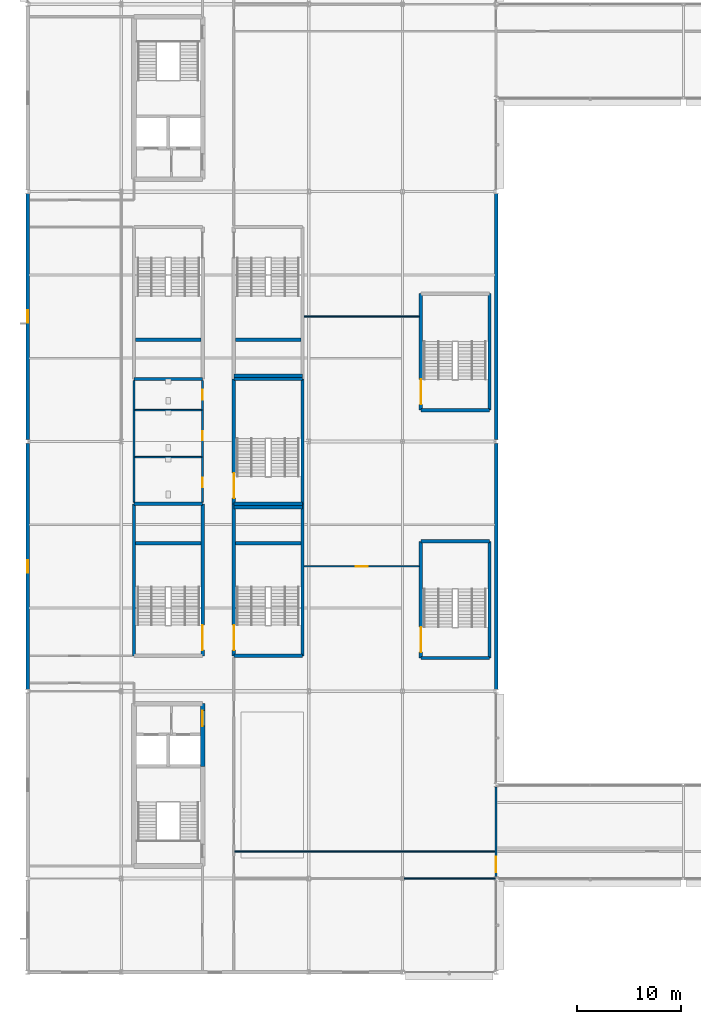
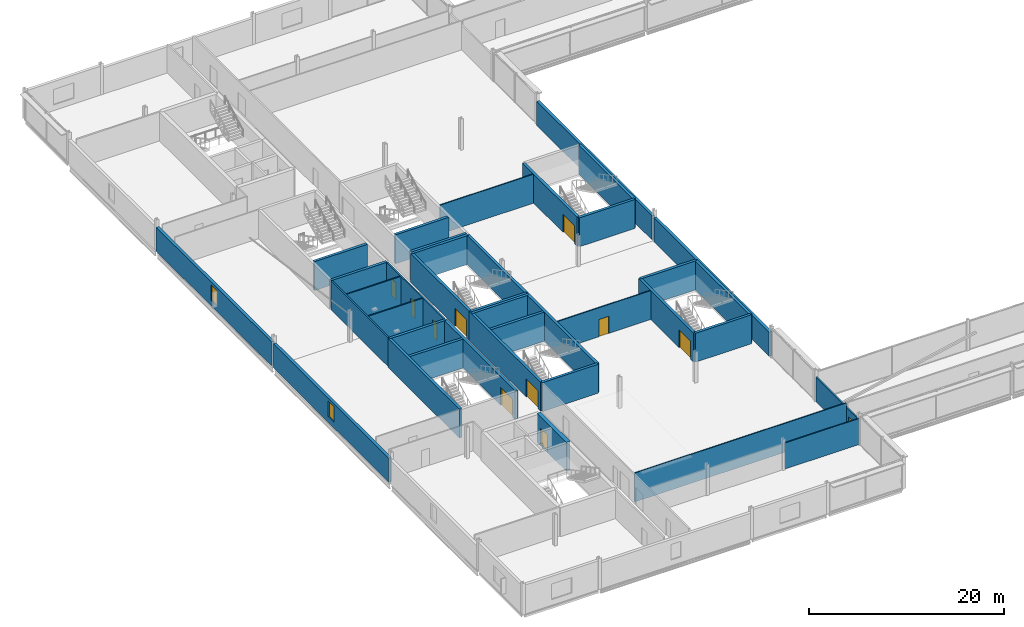
# One storey, part 58 of 98: 38 walls, 11 doors, 2 windows, 13 openings.
"""IFC4 building model written with IfcOpenShell, lengths in metres."""

from ifc_helpers import new_model, si_unit, direction, frame, frame_2d, origin, place, context, subcontext, project, spatial, rectangle, extrude, material, layer, layer_set, type_object, element, fill, save


model = new_model("IFC4")

# Units and contexts
model_context = context("Model", 3, precision=1e-05, world=origin(), true_north=direction((0.0, 1.0)))
body_context = subcontext(model_context, "Body", "Model", "MODEL_VIEW")
ifc_project = project(units=[si_unit("LENGTHUNIT", "METRE"), si_unit("AREAUNIT", "SQUARE_METRE"), si_unit("VOLUMEUNIT", "CUBIC_METRE"), si_unit("PLANEANGLEUNIT", "RADIAN"), si_unit("MASSUNIT", "GRAM", prefix="KILO")], contexts=[model_context])

# Site, building, storey
site_placement = place(None, origin())
site = spatial("IfcSite", under=ifc_project, at=site_placement, CompositionType="ELEMENT")
building_placement = place(site_placement, origin())
building = spatial("IfcBuilding", under=site, at=building_placement, Name="Kisiwana Market Hall", CompositionType="ELEMENT")
storey_placement = place(building_placement, frame((0.0, 0.0, 29.39990234375)))
storey = spatial("IfcBuildingStorey", under=building, at=storey_placement, Name="L06", CompositionType="ELEMENT", Elevation=29.39990234375)

# Walls
ifc_material_1 = material(Name="Concrete C40/50", Category="concrete")
ifc_layer_1 = layer(ifc_material_1, 0.320068359375, Name="Reinforced concrete shaft wall")
ifc_layer_set_1 = layer_set([ifc_layer_1], Name="WL-CORE-320")
wall_type_1 = type_object("IfcWallType", Name="WL-CORE-320", PredefinedType="SHEAR", material=ifc_layer_set_1)
wall_1_placement = place(storey_placement, frame((10.199951171875, 54.0, 0.0), z_axis=(0.0, 0.0, 1.0), x_axis=(1.0, 0.0, 0.0)))
element("IfcWall", 1, at=wall_1_placement, inside=storey, type_object=wall_type_1, Name="Core W3 north shear wall W-1927", PredefinedType="SHEAR", context=body_context, shape_type="SweptSolid", body=[
    extrude(rectangle(XDim=6.60009765625, YDim=0.320068359375, at=frame_2d((3.300048828125, 0.0))), origin(), (0.0, 0.0, 1.0), 3.6201171875),
])
wall_2_placement = place(storey_placement, frame((10.199951171875, 39.39990234375, 0.0), z_axis=(0.0, 0.0, 1.0), x_axis=(0.0, 1.0, 0.0)))
element("IfcWall", 2, at=wall_2_placement, inside=storey, type_object=wall_type_1, Name="Core W3 outer shear wall W-1928", PredefinedType="SHEAR", context=body_context, shape_type="SweptSolid", body=[
    extrude(rectangle(XDim=14.60009765625, YDim=0.320068359375, at=frame_2d((7.300048828125, 0.0))), origin(), (0.0, 0.0, 1.0), 3.6201171875),
])

# Wall, opening, door
wall_3_placement = place(storey_placement, frame((16.800048828125, 39.39990234375, 0.0), z_axis=(0.0, 0.0, 1.0), x_axis=(0.0, 1.0, 0.0)))
wall_3 = element("IfcWall", 3, at=wall_3_placement, inside=storey, type_object=wall_type_1, Name="Core W3 corridor shear wall W-1929", PredefinedType="SHEAR", context=body_context, shape_type="SweptSolid", body=[
    extrude(rectangle(XDim=14.60009765625, YDim=0.320068359375, at=frame_2d((7.300048828125, 0.0))), origin(), (0.0, 0.0, 1.0), 3.6201171875),
])
opening_1_placement = place(wall_3_placement, frame((0.550048828125, 0.0, 0.0)))
opening_1 = element("IfcOpeningElement", 4, at=opening_1_placement, cuts=wall_3, Name="Opening DR-L06-013", PredefinedType="OPENING", context=body_context, shape_type="SweptSolid", body=[
    extrude(rectangle(XDim=2.39990234375, YDim=2.25, at=frame_2d((1.199951171875, 1.125))), frame((0.0, 0.171875, 0.0), z_axis=(0.0, -1.0, 0.0), x_axis=(1.0, 0.0, 0.0)), (0.0, 0.0, 1.0), 0.343994140625),
])
ifc_material_2 = material(Name="Steel S275", Category="steel")
door_type_1 = type_object("IfcDoorType", Name="DR-STAIR-FD120-2400", OperationType="DOUBLE_DOOR_SINGLE_SWING", PredefinedType="DOOR", material=ifc_material_2)
door_1_placement = place(opening_1_placement, origin())
door_1 = element("IfcDoor", 5, at=door_1_placement, inside=storey, type_object=door_type_1, Name="Escape Stair W3 Fire Door (L06)", OperationType="DOUBLE_DOOR_SINGLE_SWING", OverallHeight=2.25, OverallWidth=2.39990234375, PredefinedType="DOOR", context=body_context, shape_type="SweptSolid", body=[
    extrude(rectangle(XDim=2.39990234375, YDim=2.25, at=frame_2d((1.199951171875, 1.125))), frame((0.0, 0.02490234375, 0.0), z_axis=(0.0, -1.0, 0.0), x_axis=(1.0, 0.0, 0.0)), (0.0, 0.0, 1.0), 0.050048828125),
])
fill(opening_1, door_1)

# Walls
wall_4_placement = place(storey_placement, frame((10.360107421875, 50.219970703125, 0.0), z_axis=(0.0, 0.0, 1.0), x_axis=(1.0, 0.0, 0.0)))
element("IfcWall", 6, at=wall_4_placement, inside=storey, type_object=wall_type_1, Name="Core W3 riser divider shear wall W-1930", PredefinedType="SHEAR", context=body_context, shape_type="SweptSolid", body=[
    extrude(rectangle(XDim=6.27978515625, YDim=0.320068359375, at=frame_2d((3.139892578125, 0.0))), origin(), (0.0, 0.0, 1.0), 3.6201171875),
])
wall_5_placement = place(storey_placement, frame((10.199951171875, 66.0, 0.0), z_axis=(0.0, 0.0, 1.0), x_axis=(1.0, 0.0, 0.0)))
element("IfcWall", 7, at=wall_5_placement, inside=storey, type_object=wall_type_1, Name="Core W4 south shear wall W-1931", PredefinedType="SHEAR", context=body_context, shape_type="SweptSolid", body=[
    extrude(rectangle(XDim=6.60009765625, YDim=0.320068359375, at=frame_2d((3.300048828125, 0.0))), origin(), (0.0, 0.0, 1.0), 3.6201171875),
])
wall_6_placement = place(storey_placement, frame((10.360107421875, 69.780029296875, 0.0), z_axis=(0.0, 0.0, 1.0), x_axis=(1.0, 0.0, 0.0)))
element("IfcWall", 8, at=wall_6_placement, inside=storey, type_object=wall_type_1, Name="Core W4 riser divider shear wall W-1935", PredefinedType="SHEAR", context=body_context, shape_type="SweptSolid", body=[
    extrude(rectangle(XDim=6.27978515625, YDim=0.320068359375, at=frame_2d((3.139892578125, 0.0))), origin(), (0.0, 0.0, 1.0), 3.6201171875),
])
for number, where, z_axis, x_axis, name in (
    (9, (19.800048828125, 39.39990234375, 0.0), (0.0, 0.0, 1.0), (1.0, 0.0, 0.0), "Core W7 south shear wall W-1946"),
    (10, (19.800048828125, 54.0, 0.0), (0.0, 0.0, 1.0), (1.0, 0.0, 0.0), "Core W7 north shear wall W-1947"),
):
    element("IfcWall", number, at=place(storey_placement, frame(where, z_axis=z_axis, x_axis=x_axis)), inside=storey, type_object=wall_type_1, Name=name, PredefinedType="SHEAR", context=body_context, shape_type="SweptSolid", body=[
        extrude(rectangle(XDim=6.599853515625, YDim=0.320068359375, at=frame_2d((3.2998046875, 0.0))), origin(), (0.0, 0.0, 1.0), 3.6201171875),
    ])

# Wall, opening, door
wall_7_placement = place(storey_placement, frame((19.800048828125, 39.39990234375, 0.0), z_axis=(0.0, 0.0, 1.0), x_axis=(0.0, 1.0, 0.0)))
wall_7 = element("IfcWall", 11, at=wall_7_placement, inside=storey, type_object=wall_type_1, Name="Core W7 corridor shear wall W-1948", PredefinedType="SHEAR", context=body_context, shape_type="SweptSolid", body=[
    extrude(rectangle(XDim=14.60009765625, YDim=0.320068359375, at=frame_2d((7.300048828125, 0.0))), origin(), (0.0, 0.0, 1.0), 3.6201171875),
])
opening_2_placement = place(wall_7_placement, frame((0.550048828125, 0.0, 0.0)))
opening_2 = element("IfcOpeningElement", 12, at=opening_2_placement, cuts=wall_7, Name="Opening DR-L06-017", PredefinedType="OPENING", context=body_context, shape_type="SweptSolid", body=[
    extrude(rectangle(XDim=2.39990234375, YDim=2.25, at=frame_2d((1.199951171875, 1.125))), frame((0.0, 0.171875, 0.0), z_axis=(0.0, -1.0, 0.0), x_axis=(1.0, 0.0, 0.0)), (0.0, 0.0, 1.0), 0.343994140625),
])
door_2_placement = place(opening_2_placement, frame((2.39990234375, 0.0, 0.0), z_axis=(0.0, 0.0, 1.0), x_axis=(-1.0, 0.0, 0.0)))
door_2 = element("IfcDoor", 13, at=door_2_placement, inside=storey, type_object=door_type_1, Name="Escape Stair W7 Fire Door (L06)", OperationType="DOUBLE_DOOR_SINGLE_SWING", OverallHeight=2.25, OverallWidth=2.39990234375, PredefinedType="DOOR", context=body_context, shape_type="SweptSolid", body=[
    extrude(rectangle(XDim=2.39990234375, YDim=2.25, at=frame_2d((1.199951171875, 1.125))), frame((0.0, 0.02490234375, 0.0), z_axis=(0.0, -1.0, 0.0), x_axis=(1.0, 0.0, 0.0)), (0.0, 0.0, 1.0), 0.050048828125),
])
fill(opening_2, door_2)

# Walls
wall_8_placement = place(storey_placement, frame((26.39990234375, 39.39990234375, 0.0), z_axis=(0.0, 0.0, 1.0), x_axis=(0.0, 1.0, 0.0)))
element("IfcWall", 14, at=wall_8_placement, inside=storey, type_object=wall_type_1, Name="Core W7 outer shear wall W-1949", PredefinedType="SHEAR", context=body_context, shape_type="SweptSolid", body=[
    extrude(rectangle(XDim=14.60009765625, YDim=0.320068359375, at=frame_2d((7.300048828125, 0.0))), origin(), (0.0, 0.0, 1.0), 3.6201171875),
])
wall_9_placement = place(storey_placement, frame((19.9599609375, 50.219970703125, 0.0), z_axis=(0.0, 0.0, 1.0), x_axis=(1.0, 0.0, 0.0)))
element("IfcWall", 15, at=wall_9_placement, inside=storey, type_object=wall_type_1, Name="Core W7 riser divider shear wall W-1950", PredefinedType="SHEAR", context=body_context, shape_type="SweptSolid", body=[
    extrude(rectangle(XDim=6.280029296875, YDim=0.320068359375, at=frame_2d((3.14013671875, 0.0))), origin(), (0.0, 0.0, 1.0), 3.6201171875),
])
wall_10_placement = place(storey_placement, frame((19.800048828125, 66.0, 0.0), z_axis=(0.0, 0.0, 1.0), x_axis=(1.0, 0.0, 0.0)))
element("IfcWall", 16, at=wall_10_placement, inside=storey, type_object=wall_type_1, Name="Core W8 south shear wall W-1956", PredefinedType="SHEAR", context=body_context, shape_type="SweptSolid", body=[
    extrude(rectangle(XDim=6.599853515625, YDim=0.320068359375, at=frame_2d((3.2998046875, 0.0))), origin(), (0.0, 0.0, 1.0), 3.6201171875),
])
wall_11_placement = place(storey_placement, frame((19.9599609375, 69.780029296875, 0.0), z_axis=(0.0, 0.0, 1.0), x_axis=(1.0, 0.0, 0.0)))
element("IfcWall", 17, at=wall_11_placement, inside=storey, type_object=wall_type_1, Name="Core W8 riser divider shear wall W-1960", PredefinedType="SHEAR", context=body_context, shape_type="SweptSolid", body=[
    extrude(rectangle(XDim=6.280029296875, YDim=0.320068359375, at=frame_2d((3.14013671875, 0.0))), origin(), (0.0, 0.0, 1.0), 3.6201171875),
])
for number, where, z_axis, x_axis, name in (
    (18, (37.77001953125, 39.199951171875, 0.0), (0.0, 0.0, 1.0), (1.0, 0.0, 0.0), "Core W9 south shear wall W-1966"),
    (19, (37.77001953125, 50.39990234375, 0.0), (0.0, 0.0, 1.0), (1.0, 0.0, 0.0), "Core W9 north shear wall W-1967"),
):
    element("IfcWall", number, at=place(storey_placement, frame(where, z_axis=z_axis, x_axis=x_axis)), inside=storey, type_object=wall_type_1, Name=name, PredefinedType="SHEAR", context=body_context, shape_type="SweptSolid", body=[
        extrude(rectangle(XDim=6.60009765625, YDim=0.320068359375, at=frame_2d((3.300048828125, 0.0))), origin(), (0.0, 0.0, 1.0), 3.6201171875),
    ])

# Wall, opening, door
wall_12_placement = place(storey_placement, frame((37.77001953125, 39.199951171875, 0.0), z_axis=(0.0, 0.0, 1.0), x_axis=(0.0, 1.0, 0.0)))
wall_12 = element("IfcWall", 20, at=wall_12_placement, inside=storey, type_object=wall_type_1, Name="Core W9 corridor shear wall W-1968", PredefinedType="SHEAR", context=body_context, shape_type="SweptSolid", body=[
    extrude(rectangle(XDim=11.199951171875, YDim=0.320068359375, at=frame_2d((5.60009765625, 0.0))), origin(), (0.0, 0.0, 1.0), 3.6201171875),
])
opening_3_placement = place(wall_12_placement, frame((0.550048828125, 0.0, 0.0)))
opening_3 = element("IfcOpeningElement", 21, at=opening_3_placement, cuts=wall_12, Name="Opening DR-L06-021", PredefinedType="OPENING", context=body_context, shape_type="SweptSolid", body=[
    extrude(rectangle(XDim=2.39990234375, YDim=2.25, at=frame_2d((1.199951171875, 1.125))), frame((0.0, 0.171875, 0.0), z_axis=(0.0, -1.0, 0.0), x_axis=(1.0, 0.0, 0.0)), (0.0, 0.0, 1.0), 0.343994140625),
])
door_3_placement = place(opening_3_placement, frame((2.39990234375, 0.0, 0.0), z_axis=(0.0, 0.0, 1.0), x_axis=(-1.0, 0.0, 0.0)))
door_3 = element("IfcDoor", 22, at=door_3_placement, inside=storey, type_object=door_type_1, Name="Escape Stair W9 Fire Door (L06)", OperationType="DOUBLE_DOOR_SINGLE_SWING", OverallHeight=2.25, OverallWidth=2.39990234375, PredefinedType="DOOR", context=body_context, shape_type="SweptSolid", body=[
    extrude(rectangle(XDim=2.39990234375, YDim=2.25, at=frame_2d((1.199951171875, 1.125))), frame((0.0, 0.02490234375, 0.0), z_axis=(0.0, -1.0, 0.0), x_axis=(1.0, 0.0, 0.0)), (0.0, 0.0, 1.0), 0.050048828125),
])
fill(opening_3, door_3)

# Walls
wall_13_placement = place(storey_placement, frame((44.3701171875, 39.199951171875, 0.0), z_axis=(0.0, 0.0, 1.0), x_axis=(0.0, 1.0, 0.0)))
element("IfcWall", 23, at=wall_13_placement, inside=storey, type_object=wall_type_1, Name="Core W9 outer shear wall W-1969", PredefinedType="SHEAR", context=body_context, shape_type="SweptSolid", body=[
    extrude(rectangle(XDim=11.199951171875, YDim=0.320068359375, at=frame_2d((5.60009765625, 0.0))), origin(), (0.0, 0.0, 1.0), 3.6201171875),
])
wall_14_placement = place(storey_placement, frame((37.77001953125, 63.0, 0.0), z_axis=(0.0, 0.0, 1.0), x_axis=(1.0, 0.0, 0.0)))
element("IfcWall", 24, at=wall_14_placement, inside=storey, type_object=wall_type_1, Name="Core W10 south shear wall W-1974", PredefinedType="SHEAR", context=body_context, shape_type="SweptSolid", body=[
    extrude(rectangle(XDim=6.60009765625, YDim=0.320068359375, at=frame_2d((3.300048828125, 0.0))), origin(), (0.0, 0.0, 1.0), 3.6201171875),
])

# Wall, opening, door
wall_15_placement = place(storey_placement, frame((37.77001953125, 63.0, 0.0), z_axis=(0.0, 0.0, 1.0), x_axis=(0.0, 1.0, 0.0)))
wall_15 = element("IfcWall", 25, at=wall_15_placement, inside=storey, type_object=wall_type_1, Name="Core W10 corridor shear wall W-1976", PredefinedType="SHEAR", context=body_context, shape_type="SweptSolid", body=[
    extrude(rectangle(XDim=11.199951171875, YDim=0.320068359375, at=frame_2d((5.60009765625, 0.0))), origin(), (0.0, 0.0, 1.0), 3.6201171875),
])
opening_4_placement = place(wall_15_placement, frame((0.550048828125, 0.0, 0.0)))
opening_4 = element("IfcOpeningElement", 26, at=opening_4_placement, cuts=wall_15, Name="Opening DR-L06-023", PredefinedType="OPENING", context=body_context, shape_type="SweptSolid", body=[
    extrude(rectangle(XDim=2.39990234375, YDim=2.25, at=frame_2d((1.199951171875, 1.125))), frame((0.0, 0.171875, 0.0), z_axis=(0.0, -1.0, 0.0), x_axis=(1.0, 0.0, 0.0)), (0.0, 0.0, 1.0), 0.343994140625),
])
door_4_placement = place(opening_4_placement, frame((2.39990234375, 0.0, 0.0), z_axis=(0.0, 0.0, 1.0), x_axis=(-1.0, 0.0, 0.0)))
door_4 = element("IfcDoor", 27, at=door_4_placement, inside=storey, type_object=door_type_1, Name="Escape Stair W10 Fire Door (L06)", OperationType="DOUBLE_DOOR_SINGLE_SWING", OverallHeight=2.25, OverallWidth=2.39990234375, PredefinedType="DOOR", context=body_context, shape_type="SweptSolid", body=[
    extrude(rectangle(XDim=2.39990234375, YDim=2.25, at=frame_2d((1.199951171875, 1.125))), frame((0.0, 0.02490234375, 0.0), z_axis=(0.0, -1.0, 0.0), x_axis=(1.0, 0.0, 0.0)), (0.0, 0.0, 1.0), 0.050048828125),
])
fill(opening_4, door_4)

# Walls
wall_16_placement = place(storey_placement, frame((44.3701171875, 63.0, 0.0), z_axis=(0.0, 0.0, 1.0), x_axis=(0.0, 1.0, 0.0)))
element("IfcWall", 28, at=wall_16_placement, inside=storey, type_object=wall_type_1, Name="Core W10 outer shear wall W-1977", PredefinedType="SHEAR", context=body_context, shape_type="SweptSolid", body=[
    extrude(rectangle(XDim=11.199951171875, YDim=0.320068359375, at=frame_2d((5.60009765625, 0.0))), origin(), (0.0, 0.0, 1.0), 3.6201171875),
])
for number, where, z_axis, x_axis, name in (
    (29, (19.800048828125, 53.679931640625, 0.0), (0.0, 0.0, 1.0), (1.0, 0.0, 0.0), "Core W5 south shear wall W-1982"),
    (30, (19.800048828125, 66.320068359375, 0.0), (0.0, 0.0, 1.0), (1.0, 0.0, 0.0), "Core W5 north shear wall W-1983"),
):
    element("IfcWall", number, at=place(storey_placement, frame(where, z_axis=z_axis, x_axis=x_axis)), inside=storey, type_object=wall_type_1, Name=name, PredefinedType="SHEAR", context=body_context, shape_type="SweptSolid", body=[
        extrude(rectangle(XDim=6.599853515625, YDim=0.320068359375, at=frame_2d((3.2998046875, 0.0))), origin(), (0.0, 0.0, 1.0), 3.6201171875),
    ])

# Wall, opening, door
wall_17_placement = place(storey_placement, frame((19.800048828125, 54.0, 0.0), z_axis=(0.0, 0.0, 1.0), x_axis=(0.0, 1.0, 0.0)))
wall_17 = element("IfcWall", 31, at=wall_17_placement, inside=storey, type_object=wall_type_1, Name="Core W5 corridor shear wall W-1984", PredefinedType="SHEAR", context=body_context, shape_type="SweptSolid", body=[
    extrude(rectangle(XDim=12.0, YDim=0.320068359375, at=frame_2d((6.0, 0.0))), origin(), (0.0, 0.0, 1.0), 3.6201171875),
])
opening_5_placement = place(wall_17_placement, frame((0.550048828125, 0.0, 0.0)))
opening_5 = element("IfcOpeningElement", 32, at=opening_5_placement, cuts=wall_17, Name="Opening DR-L06-025", PredefinedType="OPENING", context=body_context, shape_type="SweptSolid", body=[
    extrude(rectangle(XDim=2.39990234375, YDim=2.25, at=frame_2d((1.199951171875, 1.125))), frame((0.0, 0.171875, 0.0), z_axis=(0.0, -1.0, 0.0), x_axis=(1.0, 0.0, 0.0)), (0.0, 0.0, 1.0), 0.343994140625),
])
door_5_placement = place(opening_5_placement, frame((2.39990234375, 0.0, 0.0), z_axis=(0.0, 0.0, 1.0), x_axis=(-1.0, 0.0, 0.0)))
door_5 = element("IfcDoor", 33, at=door_5_placement, inside=storey, type_object=door_type_1, Name="Escape Stair W5 Fire Door (L06)", OperationType="DOUBLE_DOOR_SINGLE_SWING", OverallHeight=2.25, OverallWidth=2.39990234375, PredefinedType="DOOR", context=body_context, shape_type="SweptSolid", body=[
    extrude(rectangle(XDim=2.39990234375, YDim=2.25, at=frame_2d((1.199951171875, 1.125))), frame((0.0, 0.02490234375, 0.0), z_axis=(0.0, -1.0, 0.0), x_axis=(1.0, 0.0, 0.0)), (0.0, 0.0, 1.0), 0.050048828125),
])
fill(opening_5, door_5)

# Wall
wall_18_placement = place(storey_placement, frame((26.39990234375, 54.0, 0.0), z_axis=(0.0, 0.0, 1.0), x_axis=(0.0, 1.0, 0.0)))
element("IfcWall", 34, at=wall_18_placement, inside=storey, type_object=wall_type_1, Name="Core W5 outer shear wall W-1985", PredefinedType="SHEAR", context=body_context, shape_type="SweptSolid", body=[
    extrude(rectangle(XDim=12.0, YDim=0.320068359375, at=frame_2d((6.0, 0.0))), origin(), (0.0, 0.0, 1.0), 3.6201171875),
])

# Wall, opening, door
ifc_material_3 = material(Name="Concrete C40/50", Category="concrete")
ifc_layer_2 = layer(ifc_material_3, 0.449951171875, Name="Reinforced concrete core wall")
ifc_layer_set_2 = layer_set([ifc_layer_2], Name="WL-CORE-450")
wall_type_2 = type_object("IfcWallType", Name="WL-CORE-450", PredefinedType="SHEAR", material=ifc_layer_set_2)
wall_19_placement = place(storey_placement, frame((16.800048828125, 28.784912109375, 0.0), z_axis=(0.0, 0.0, 1.0), x_axis=(0.0, 1.0, 0.0)))
wall_19 = element("IfcWall", 35, at=wall_19_placement, inside=storey, type_object=wall_type_2, Name="Core W2 lobby corridor shear wall W-1894", PredefinedType="SHEAR", context=body_context, shape_type="SweptSolid", body=[
    extrude(rectangle(XDim=6.01513671875, YDim=0.449951171875, at=frame_2d((3.007568359375, 0.0))), origin(), (0.0, 0.0, 1.0), 3.6201171875),
])
opening_6_placement = place(wall_19_placement, frame((3.85009765625, 0.0, 0.0)))
opening_6 = element("IfcOpeningElement", 36, at=opening_6_placement, cuts=wall_19, Name="Opening DR-L06-002", PredefinedType="OPENING", context=body_context, shape_type="SweptSolid", body=[
    extrude(rectangle(XDim=1.5, YDim=2.199951171875, at=frame_2d((0.75, 1.10009765625))), frame((0.0, 0.23681640625, 0.0), z_axis=(0.0, -1.0, 0.0), x_axis=(1.0, 0.0, 0.0)), (0.0, 0.0, 1.0), 0.473876953125),
])
ifc_material_4 = material(Name="Steel S275", Category="steel")
door_type_2 = type_object("IfcDoorType", Name="DR-CORR-FD60-1500", OperationType="DOUBLE_DOOR_SINGLE_SWING", PredefinedType="DOOR", material=ifc_material_4)
door_6_placement = place(opening_6_placement, frame((1.5, 0.0, 0.0), z_axis=(0.0, 0.0, 1.0), x_axis=(-1.0, 0.0, 0.0)))
door_6 = element("IfcDoor", 37, at=door_6_placement, inside=storey, type_object=door_type_2, Name="Passenger Lift Lobby W2 Smoke Door (L06)", OperationType="DOUBLE_DOOR_SINGLE_SWING", OverallHeight=2.199951171875, OverallWidth=1.5, PredefinedType="DOOR", context=body_context, shape_type="SweptSolid", body=[
    extrude(rectangle(XDim=1.5, YDim=2.199951171875, at=frame_2d((0.75, 1.10009765625))), frame((0.0, 0.02490234375, 0.0), z_axis=(0.0, -1.0, 0.0), x_axis=(1.0, 0.0, 0.0)), (0.0, 0.0, 1.0), 0.050048828125),
])
fill(opening_6, door_6)

# Wall
ifc_material_5 = material(Name="Masonry blockwork", Category="masonry")
ifc_layer_3 = layer(ifc_material_5, 0.169921875, Name="Protected corridor partition")
ifc_layer_set_3 = layer_set([ifc_layer_3], Name="WL-CORR-170")
wall_type_3 = type_object("IfcWallType", Name="WL-CORR-170", PredefinedType="PARTITIONING", material=ifc_layer_set_3)
wall_20_placement = place(storey_placement, frame((10.199951171875, 54.159912109375, 0.0), z_axis=(0.0, 0.0, 1.0), x_axis=(0.0, 1.0, 0.0)))
element("IfcWall", 38, at=wall_20_placement, inside=storey, type_object=wall_type_3, Name="Interior partition W-2018", PredefinedType="PARTITIONING", context=body_context, shape_type="SweptSolid", body=[
    extrude(rectangle(XDim=11.68017578125, YDim=0.169921875, at=frame_2d((5.840087890625, 0.0))), origin(), (0.0, 0.0, 1.0), 3.6201171875),
])

# Wall, openings, doors
wall_21_placement = place(storey_placement, frame((16.800048828125, 54.159912109375, 0.0), z_axis=(0.0, 0.0, 1.0), x_axis=(0.0, 1.0, 0.0)))
wall_21 = element("IfcWall", 39, at=wall_21_placement, inside=storey, type_object=wall_type_3, Name="Interior partition W-2019", PredefinedType="PARTITIONING", context=body_context, shape_type="SweptSolid", body=[
    extrude(rectangle(XDim=11.68017578125, YDim=0.169921875, at=frame_2d((5.840087890625, 0.0))), origin(), (0.0, 0.0, 1.0), 3.6201171875),
])
opening_7_placement = place(wall_21_placement, frame((1.43994140625, 0.0, 0.0)))
opening_7 = element("IfcOpeningElement", 40, at=opening_7_placement, cuts=wall_21, Name="Opening DR-L06-027", PredefinedType="OPENING", context=body_context, shape_type="SweptSolid", body=[
    extrude(rectangle(XDim=0.89990234375, YDim=2.10009765625, at=frame_2d((0.449951171875, 1.050048828125))), frame((0.0, 0.096923828125, 0.0), z_axis=(0.0, -1.0, 0.0), x_axis=(1.0, 0.0, 0.0)), (0.0, 0.0, 1.0), 0.19384765625),
])
opening_8_placement = place(wall_21_placement, frame((5.93994140625, 0.0, 0.0)))
opening_8 = element("IfcOpeningElement", 41, at=opening_8_placement, cuts=wall_21, Name="Opening DR-L06-028", PredefinedType="OPENING", context=body_context, shape_type="SweptSolid", body=[
    extrude(rectangle(XDim=0.89990234375, YDim=2.10009765625, at=frame_2d((0.449951171875, 1.050048828125))), frame((0.0, 0.096923828125, 0.0), z_axis=(0.0, -1.0, 0.0), x_axis=(1.0, 0.0, 0.0)), (0.0, 0.0, 1.0), 0.19384765625),
])
opening_9_placement = place(wall_21_placement, frame((9.840087890625, 0.0, 0.0)))
opening_9 = element("IfcOpeningElement", 42, at=opening_9_placement, cuts=wall_21, Name="Opening DR-L06-029", PredefinedType="OPENING", context=body_context, shape_type="SweptSolid", body=[
    extrude(rectangle(XDim=0.949951171875, YDim=2.10009765625, at=frame_2d((0.47509765625, 1.050048828125))), frame((0.0, 0.096923828125, 0.0), z_axis=(0.0, -1.0, 0.0), x_axis=(1.0, 0.0, 0.0)), (0.0, 0.0, 1.0), 0.19384765625),
])
ifc_material_6 = material(Name="Aluminium alloy 6063-T6", Category="aluminium")
door_type_3 = type_object("IfcDoorType", Name="DR-WC-ACC-950", OperationType="NOTDEFINED", PredefinedType="DOOR", material=ifc_material_6)
door_7_placement = place(opening_9_placement, origin())
door_7 = element("IfcDoor", 43, at=door_7_placement, inside=storey, type_object=door_type_3, Name="L06 W Accessible WC Door", OperationType="SINGLE_SWING_RIGHT", OverallHeight=2.10009765625, OverallWidth=0.949951171875, PredefinedType="DOOR", context=body_context, shape_type="SweptSolid", body=[
    extrude(rectangle(XDim=0.949951171875, YDim=2.10009765625, at=frame_2d((0.47509765625, 1.050048828125))), frame((0.0, 0.02490234375, 0.0), z_axis=(0.0, -1.0, 0.0), x_axis=(1.0, 0.0, 0.0)), (0.0, 0.0, 1.0), 0.050048828125),
])
fill(opening_9, door_7)
ifc_material_7 = material(Name="Aluminium alloy 6063-T6", Category="aluminium")
door_type_4 = type_object("IfcDoorType", Name="DR-WC-STD-900", OperationType="NOTDEFINED", PredefinedType="DOOR", material=ifc_material_7)
door_8_placement = place(opening_7_placement, origin())
door_8 = element("IfcDoor", 44, at=door_8_placement, inside=storey, type_object=door_type_4, Name="L06 W Male Toilet Door", OperationType="SINGLE_SWING_LEFT", OverallHeight=2.10009765625, OverallWidth=0.89990234375, PredefinedType="DOOR", context=body_context, shape_type="SweptSolid", body=[
    extrude(rectangle(XDim=0.89990234375, YDim=2.10009765625, at=frame_2d((0.449951171875, 1.050048828125))), frame((0.0, 0.02490234375, 0.0), z_axis=(0.0, -1.0, 0.0), x_axis=(1.0, 0.0, 0.0)), (0.0, 0.0, 1.0), 0.050048828125),
])
fill(opening_7, door_8)
door_9_placement = place(opening_8_placement, origin())
door_9 = element("IfcDoor", 45, at=door_9_placement, inside=storey, type_object=door_type_4, Name="L06 W Female Toilet Door", OperationType="SINGLE_SWING_RIGHT", OverallHeight=2.10009765625, OverallWidth=0.89990234375, PredefinedType="DOOR", context=body_context, shape_type="SweptSolid", body=[
    extrude(rectangle(XDim=0.89990234375, YDim=2.10009765625, at=frame_2d((0.449951171875, 1.050048828125))), frame((0.0, 0.02490234375, 0.0), z_axis=(0.0, -1.0, 0.0), x_axis=(1.0, 0.0, 0.0)), (0.0, 0.0, 1.0), 0.050048828125),
])
fill(opening_8, door_9)

# Wall, opening, door
wall_22_placement = place(storey_placement, frame((45.0, 18.219970703125, 0.0), z_axis=(0.0, 0.0, 1.0), x_axis=(0.0, 1.0, 0.0)))
wall_22 = element("IfcWall", 46, at=wall_22_placement, inside=storey, type_object=wall_type_3, Name="Interior partition W-2044", PredefinedType="PARTITIONING", context=body_context, shape_type="SweptSolid", body=[
    extrude(rectangle(XDim=8.56005859375, YDim=0.169921875, at=frame_2d((4.280029296875, 0.0))), origin(), (0.0, 0.0, 1.0), 3.0869140625),
])
opening_10_placement = place(wall_22_placement, frame((0.3798828125, 0.0, 0.0)))
opening_10 = element("IfcOpeningElement", 47, at=opening_10_placement, cuts=wall_22, Name="Opening DR-L06-044", PredefinedType="OPENING", context=body_context, shape_type="SweptSolid", body=[
    extrude(rectangle(XDim=1.5, YDim=2.199951171875, at=frame_2d((0.75, 1.10009765625))), frame((0.0, 0.096923828125, 0.0), z_axis=(0.0, -1.0, 0.0), x_axis=(1.0, 0.0, 0.0)), (0.0, 0.0, 1.0), 0.19384765625),
])
door_10_placement = place(opening_10_placement, origin())
door_10 = element("IfcDoor", 48, at=door_10_placement, inside=storey, type_object=door_type_2, Name="L06 W South Skybridge Spine Door", OperationType="DOUBLE_DOOR_SINGLE_SWING", OverallHeight=2.199951171875, OverallWidth=1.5, PredefinedType="DOOR", context=body_context, shape_type="SweptSolid", body=[
    extrude(rectangle(XDim=1.5, YDim=2.199951171875, at=frame_2d((0.75, 1.10009765625))), frame((0.0, 0.02490234375, 0.0), z_axis=(0.0, -1.0, 0.0), x_axis=(1.0, 0.0, 0.0)), (0.0, 0.0, 1.0), 0.050048828125),
])
fill(opening_10, door_10)

# Wall, opening, window
ifc_material_8 = material(Name="Concrete C40/50 precast", Category="concrete")
ifc_layer_4 = layer(ifc_material_8, 0.14990234375, Name="Precast architectural concrete spandrel")
ifc_material_9 = material(Name="Mineral wool insulation")
ifc_layer_5 = layer(ifc_material_9, 0.090087890625, Name="Rockwool thermal insulation")
ifc_material_10 = material(Name="Masonry blockwork", Category="masonry")
ifc_layer_6 = layer(ifc_material_10, 0.10009765625, Name="Inner masonry block leaf")
ifc_layer_set_4 = layer_set([ifc_layer_4, ifc_layer_5, ifc_layer_6], Name="WL-EXT-PREC-340")
wall_type_4 = type_object("IfcWallType", Name="WL-EXT-PREC-340", PredefinedType="STANDARD", material=ifc_layer_set_4)
wall_23_placement = place(storey_placement, frame((0.0, 36.1806640625, 0.0), z_axis=(0.0, 0.0, 1.0), x_axis=(0.0, 1.0, 0.0)))
wall_23 = element("IfcWall", 49, at=wall_23_placement, inside=storey, type_object=wall_type_4, Name="Exterior wall W-2002", PredefinedType="STANDARD", context=body_context, shape_type="SweptSolid", body=[
    extrude(rectangle(XDim=23.638671875, YDim=0.340087890625, at=frame_2d((11.8193359375, 0.0))), origin(), (0.0, 0.0, 1.0), 3.0078125),
])
opening_11_placement = place(wall_23_placement, frame((11.219482421875, 0.0, 0.699951171875)))
opening_11 = element("IfcOpeningElement", 50, at=opening_11_placement, cuts=wall_23, Name="Opening WN-15", PredefinedType="OPENING", context=body_context, shape_type="SweptSolid", body=[
    extrude(rectangle(XDim=1.199951171875, YDim=1.949951171875, at=frame_2d((0.60009765625, 0.97509765625))), frame((0.0, 0.18212890625, 0.0), z_axis=(0.0, -1.0, 0.0), x_axis=(1.0, 0.0, 0.0)), (0.0, 0.0, 1.0), 0.364013671875),
])
ifc_material_11 = material(Name="Double-glazed solar-control low-E IGU", Category="glass")
window_type = type_object("IfcWindowType", Name="WN-OFFA-1200x1950", PartitioningType="SINGLE_PANEL", PredefinedType="WINDOW", material=ifc_material_11)
window_1_placement = place(opening_11_placement, origin())
window_1 = element("IfcWindow", 51, at=window_1_placement, inside=storey, type_object=window_type, Name="Exterior window WN-192", OverallHeight=1.949951171875, OverallWidth=1.199951171875, PartitioningType="SINGLE_PANEL", PredefinedType="WINDOW", context=body_context, shape_type="SweptSolid", body=[
    extrude(rectangle(XDim=1.199951171875, YDim=1.949951171875, at=frame_2d((0.60009765625, 0.97509765625))), frame((0.0, 0.030029296875, 0.0), z_axis=(0.0, -1.0, 0.0), x_axis=(1.0, 0.0, 0.0)), (0.0, 0.0, 1.0), 0.06005859375),
])
fill(opening_11, window_1)

wall_24_placement = place(storey_placement, frame((0.0, 60.1806640625, 0.0), z_axis=(0.0, 0.0, 1.0), x_axis=(0.0, 1.0, 0.0)))
wall_24 = element("IfcWall", 52, at=wall_24_placement, inside=storey, type_object=wall_type_4, Name="Exterior wall W-2003", PredefinedType="STANDARD", context=body_context, shape_type="SweptSolid", body=[
    extrude(rectangle(XDim=23.638671875, YDim=0.340087890625, at=frame_2d((11.8193359375, 0.0))), origin(), (0.0, 0.0, 1.0), 3.0078125),
])
opening_12_placement = place(wall_24_placement, frame((11.219482421875, 0.0, 0.699951171875)))
opening_12 = element("IfcOpeningElement", 53, at=opening_12_placement, cuts=wall_24, Name="Opening WN-15", PredefinedType="OPENING", context=body_context, shape_type="SweptSolid", body=[
    extrude(rectangle(XDim=1.199951171875, YDim=1.949951171875, at=frame_2d((0.60009765625, 0.97509765625))), frame((0.0, 0.18212890625, 0.0), z_axis=(0.0, -1.0, 0.0), x_axis=(1.0, 0.0, 0.0)), (0.0, 0.0, 1.0), 0.364013671875),
])
window_2_placement = place(opening_12_placement, origin())
window_2 = element("IfcWindow", 54, at=window_2_placement, inside=storey, type_object=window_type, Name="Exterior window WN-193", OverallHeight=1.949951171875, OverallWidth=1.199951171875, PartitioningType="SINGLE_PANEL", PredefinedType="WINDOW", context=body_context, shape_type="SweptSolid", body=[
    extrude(rectangle(XDim=1.199951171875, YDim=1.949951171875, at=frame_2d((0.60009765625, 0.97509765625))), frame((0.0, 0.030029296875, 0.0), z_axis=(0.0, -1.0, 0.0), x_axis=(1.0, 0.0, 0.0)), (0.0, 0.0, 1.0), 0.06005859375),
])
fill(opening_12, window_2)

# Walls
for number, where, z_axis, x_axis, name in (
    (55, (45.0, 36.1806640625, 0.0), (0.0, 0.0, 1.0), (0.0, 1.0, 0.0), "Exterior wall W-2005"),
    (56, (45.0, 60.1806640625, 0.0), (0.0, 0.0, 1.0), (0.0, 1.0, 0.0), "Exterior wall W-2006"),
):
    element("IfcWall", number, at=place(storey_placement, frame(where, z_axis=z_axis, x_axis=x_axis)), inside=storey, type_object=wall_type_4, Name=name, PredefinedType="STANDARD", context=body_context, shape_type="SweptSolid", body=[
        extrude(rectangle(XDim=23.638671875, YDim=0.340087890625, at=frame_2d((11.8193359375, 0.0))), origin(), (0.0, 0.0, 1.0), 3.0078125),
    ])
ifc_material_12 = material(Name="Gypsum plasterboard")
ifc_layer_7 = layer(ifc_material_12, 0.125, Name="Double gypsum board + acoustic stud")
ifc_layer_set_5 = layer_set([ifc_layer_7], Name="WL-OFF-125")
wall_type_5 = type_object("IfcWallType", Name="WL-OFF-125", PredefinedType="PARTITIONING", material=ifc_layer_set_5)
wall_25_placement = place(storey_placement, frame((36.180908203125, 18.0, 0.0), z_axis=(0.0, 0.0, 1.0), x_axis=(1.0, 0.0, 0.0)))
element("IfcWall", 57, at=wall_25_placement, inside=storey, type_object=wall_type_5, Name="Interior partition W-2034", PredefinedType="PARTITIONING", context=body_context, shape_type="SweptSolid", body=[
    extrude(rectangle(XDim=8.734130859375, YDim=0.125, at=frame_2d((4.3671875, 0.0))), origin(), (0.0, 0.0, 1.0), 3.260009765625),
])
wall_26_placement = place(storey_placement, frame((19.885009765625, 20.60009765625, 0.0), z_axis=(0.0, 0.0, 1.0), x_axis=(1.0, 0.0, 0.0)))
element("IfcWall", 58, at=wall_26_placement, inside=storey, type_object=wall_type_5, Name="Interior partition W-2035", PredefinedType="PARTITIONING", context=body_context, shape_type="SweptSolid", body=[
    extrude(rectangle(XDim=25.030029296875, YDim=0.125, at=frame_2d((12.51513671875, 0.0))), origin(), (0.0, 0.0, 1.0), 3.6201171875),
])

# Wall, opening, door
wall_27_placement = place(storey_placement, frame((26.56005859375, 48.0, 0.0), z_axis=(0.0, 0.0, 1.0), x_axis=(1.0, 0.0, 0.0)))
wall_27 = element("IfcWall", 59, at=wall_27_placement, inside=storey, type_object=wall_type_5, Name="Interior partition W-2036", PredefinedType="PARTITIONING", context=body_context, shape_type="SweptSolid", body=[
    extrude(rectangle(XDim=11.050048828125, YDim=0.125, at=frame_2d((5.52490234375, 0.0))), origin(), (0.0, 0.0, 1.0), 3.6201171875),
])
opening_13_placement = place(wall_27_placement, frame((4.949951171875, 0.0, 0.0)))
opening_13 = element("IfcOpeningElement", 60, at=opening_13_placement, cuts=wall_27, Name="Opening DR-L06-035", PredefinedType="OPENING", context=body_context, shape_type="SweptSolid", body=[
    extrude(rectangle(XDim=1.14990234375, YDim=2.14990234375, at=frame_2d((0.574951171875, 1.074951171875))), frame((0.0, 0.074462890625, 0.0), z_axis=(0.0, -1.0, 0.0), x_axis=(1.0, 0.0, 0.0)), (0.0, 0.0, 1.0), 0.14892578125),
])
ifc_material_13 = material(Name="Aluminium alloy 6063-T6", Category="aluminium")
door_type_5 = type_object("IfcDoorType", Name="DR-MEET-1150", OperationType="NOTDEFINED", PredefinedType="DOOR", material=ifc_material_13)
door_11_placement = place(opening_13_placement, origin())
door_11 = element("IfcDoor", 61, at=door_11_placement, inside=storey, type_object=door_type_5, Name="L06 W Open-Plan Office A3 Door", OperationType="SINGLE_SWING_RIGHT", OverallHeight=2.14990234375, OverallWidth=1.14990234375, PredefinedType="DOOR", context=body_context, shape_type="SweptSolid", body=[
    extrude(rectangle(XDim=1.14990234375, YDim=2.14990234375, at=frame_2d((0.574951171875, 1.074951171875))), frame((0.0, 0.02490234375, 0.0), z_axis=(0.0, -1.0, 0.0), x_axis=(1.0, 0.0, 0.0)), (0.0, 0.0, 1.0), 0.050048828125),
])
fill(opening_13, door_11)

# Walls
wall_28_placement = place(storey_placement, frame((26.56005859375, 72.0, 0.0), z_axis=(0.0, 0.0, 1.0), x_axis=(1.0, 0.0, 0.0)))
element("IfcWall", 62, at=wall_28_placement, inside=storey, type_object=wall_type_5, Name="Interior partition W-2037", PredefinedType="PARTITIONING", context=body_context, shape_type="SweptSolid", body=[
    extrude(rectangle(XDim=11.050048828125, YDim=0.125, at=frame_2d((5.52490234375, 0.0))), origin(), (0.0, 0.0, 1.0), 3.6201171875),
])
ifc_material_14 = material(Name="Masonry blockwork", Category="masonry")
ifc_layer_8 = layer(ifc_material_14, 0.14990234375, Name="Water-resistant sanitary block wall")
ifc_layer_set_6 = layer_set([ifc_layer_8], Name="WL-WET-150")
wall_type_6 = type_object("IfcWallType", Name="WL-WET-150", PredefinedType="PARTITIONING", material=ifc_layer_set_6)
for number, where, z_axis, x_axis, name in (
    (63, (10.284912109375, 58.5, 0.0), (0.0, 0.0, 1.0), (1.0, 0.0, 0.0), "Interior partition W-2020"),
    (64, (10.284912109375, 63.0, 0.0), (0.0, 0.0, 1.0), (1.0, 0.0, 0.0), "Interior partition W-2021"),
):
    element("IfcWall", number, at=place(storey_placement, frame(where, z_axis=z_axis, x_axis=x_axis)), inside=storey, type_object=wall_type_6, Name=name, PredefinedType="PARTITIONING", context=body_context, shape_type="SweptSolid", body=[
        extrude(rectangle(XDim=6.43017578125, YDim=0.14990234375, at=frame_2d((3.215087890625, 0.0))), origin(), (0.0, 0.0, 1.0), 3.6201171875),
    ])

save(model, "model.ifc")
